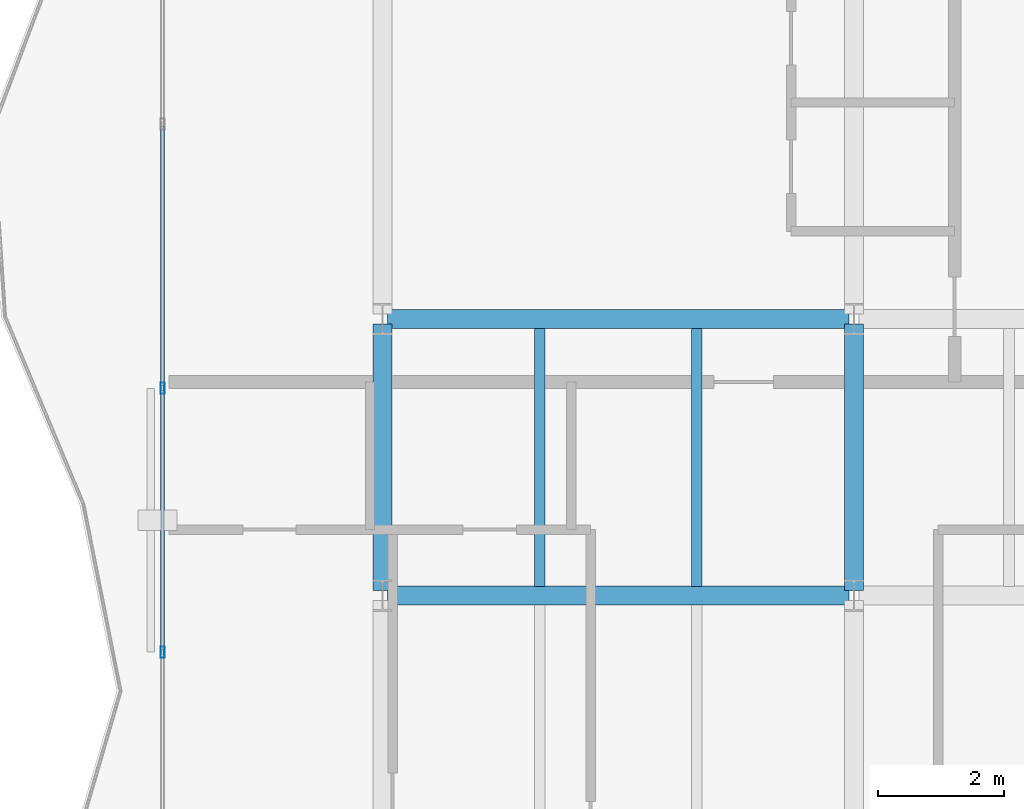
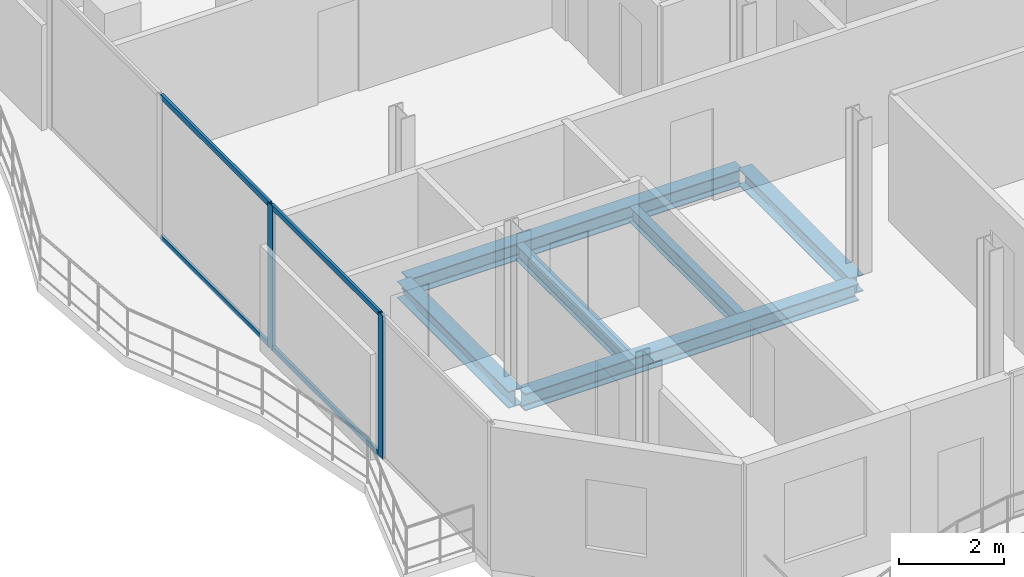
# One storey, part 5 of 24: 6 beams, 6 members, 1 element without a shape of its own.
"""IFC4 building model written with IfcOpenShell, lengths in metres."""

from ifc_helpers import new_model, si_unit, direction, frame, origin, origin_2d, place, context, subcontext, project, spatial, hollow_rectangle, i_section, extrude, material, layer, layer_set, material_profile, profile_set, type_object, element, aggregate, save


model = new_model("IFC4")

# Units and contexts
model_context = context("Model", 3, precision=1e-05, world=origin(), true_north=direction((0.0, 1.0)))
body_context = subcontext(model_context, "Body", "Model", "MODEL_VIEW")
ifc_project = project(units=[si_unit("LENGTHUNIT", "METRE"), si_unit("AREAUNIT", "SQUARE_METRE"), si_unit("VOLUMEUNIT", "CUBIC_METRE"), si_unit("PLANEANGLEUNIT", "RADIAN"), si_unit("MASSUNIT", "GRAM", prefix="KILO")], contexts=[model_context])

# Site, building, storey
site_placement = place(None, origin())
site = spatial("IfcSite", under=ifc_project, at=site_placement, CompositionType="ELEMENT")
building_placement = place(site_placement, origin())
building = spatial("IfcBuilding", under=site, at=building_placement, Name="Catumbela Crestline Tower", CompositionType="ELEMENT")
storey_placement = place(building_placement, frame((0.0, 0.0, 157.8)))
storey = spatial("IfcBuildingStorey", under=building, at=storey_placement, Name="L40", CompositionType="ELEMENT", Elevation=157.8)

# Beams
ifc_material_1 = material(Name="Structural steel S355J2", Category="steel")
ifc_material_profile_1 = material_profile(ifc_material_1, i_section(OverallWidth=0.3, OverallDepth=0.39, WebThickness=0.011, FlangeThickness=0.019, FilletRadius=0.027, at=origin_2d()), Name="HEA 400")
ifc_profile_set_1 = profile_set([ifc_material_profile_1], Name="Structural steel S355J2")
beam_type_1 = type_object("IfcBeamType", Name="BG-HEA400", PredefinedType="BEAM", material=ifc_profile_set_1)
for number, where, z_axis, x_axis, name in (
    (1, (8.58, 13.6, -0.455), (1.0, 0.0, 0.0), (0.0, 1.0, 0.0), "L40 Beam BM-L40-WEW33"),
    (2, (8.58, 18.0, -0.455), (1.0, 0.0, 0.0), (0.0, 1.0, 0.0), "L40 Beam BM-L40-WEW35"),
):
    element("IfcBeam", number, at=place(storey_placement, frame(where, z_axis=z_axis, x_axis=x_axis)), inside=storey, type_object=beam_type_1, Name=name, PredefinedType="BEAM", context=body_context, shape_type="SweptSolid", body=[
        extrude(i_section(OverallWidth=0.3, OverallDepth=0.39, WebThickness=0.011, FlangeThickness=0.019, FilletRadius=0.027, at=origin_2d()), origin(), (0.0, 0.0, 1.0), 7.34),
    ])
for number, where, z_axis, x_axis, name in (
    (3, (8.5, 13.68, -0.455), (0.0, 1.0, 0.0), (-1.0, 0.0, 0.0), "L40 Beam BM-L40-WNS38"),
    (4, (16.0, 13.68, -0.455), (0.0, 1.0, 0.0), (-1.0, 0.0, 0.0), "L40 Beam BM-L40-WNS41"),
):
    element("IfcBeam", number, at=place(storey_placement, frame(where, z_axis=z_axis, x_axis=x_axis)), inside=storey, type_object=beam_type_1, Name=name, PredefinedType="BEAM", context=body_context, shape_type="SweptSolid", body=[
        extrude(i_section(OverallWidth=0.3, OverallDepth=0.39, WebThickness=0.011, FlangeThickness=0.019, FilletRadius=0.027, at=origin_2d()), origin(), (0.0, 0.0, 1.0), 4.24),
    ])
ifc_material_profile_2 = material_profile(ifc_material_1, i_section(OverallWidth=0.17, OverallDepth=0.36, WebThickness=0.008, FlangeThickness=0.0127, FilletRadius=0.018, at=origin_2d()), Name="IPE 360")
ifc_profile_set_2 = profile_set([ifc_material_profile_2], Name="Structural steel S355J2")
beam_type_2 = type_object("IfcBeamType", Name="BJ-IPE360", PredefinedType="JOIST", material=ifc_profile_set_2)
for number, where, z_axis, x_axis, name in (
    (5, (11.0, 13.747, -0.44), (0.0, 1.0, 0.0), (-1.0, 0.0, 0.0), "L40 Joist JS-L40-WG46"),
    (6, (13.5, 13.747, -0.44), (0.0, 1.0, 0.0), (-1.0, 0.0, 0.0), "L40 Joist JS-L40-WG47"),
):
    element("IfcBeam", number, at=place(storey_placement, frame(where, z_axis=z_axis, x_axis=x_axis)), inside=storey, type_object=beam_type_2, Name=name, PredefinedType="JOIST", context=body_context, shape_type="SweptSolid", body=[
        extrude(i_section(OverallWidth=0.17, OverallDepth=0.36, WebThickness=0.008, FlangeThickness=0.0127, FilletRadius=0.018, at=origin_2d()), origin(), (0.0, 0.0, 1.0), 4.106),
    ])

# Curtain wall, members
ifc_material_2 = material(Name="Aluminium alloy AW-6060-T66", Category="aluminium")
ifc_layer = layer(ifc_material_2, 0.18, Name="Aluminium alloy AW-6060-T66")
ifc_layer_set = layer_set([ifc_layer], Name="Aluminium alloy AW-6060-T66")
curtain_wall_type = type_object("IfcCurtainWallType", Name="CWU-Z3", PredefinedType="USERDEFINED", material=ifc_layer_set)
curtain_wall_placement = place(storey_placement, origin())
curtain_wall = element("IfcCurtainWall", 7, at=curtain_wall_placement, inside=storey, type_object=curtain_wall_type, Name="L40 Unitised Curtain Wall CW-L40-E9S2", ObjectType="UNITISED", PredefinedType="USERDEFINED")
ifc_material_profile_3 = material_profile(ifc_material_2, hollow_rectangle(XDim=0.065, YDim=0.18, WallThickness=0.004, at=origin_2d()), Name="ALU 180x65x4")
ifc_profile_set_3 = profile_set([ifc_material_profile_3], Name="Aluminium alloy AW-6060-T66")
member_type_1 = type_object("IfcMemberType", Name="MUL-180X65", PredefinedType="MULLION", material=ifc_profile_set_3)
member_1_placement = place(storey_placement, frame((5.0, 16.9, 0.0), z_axis=(0.0, 0.0, 1.0), x_axis=(1.0, 0.0, 0.0)))
member_1 = element("IfcMember", 8, at=member_1_placement, type_object=member_type_1, Name="CWU-Z3 mullion 5", PredefinedType="MULLION", context=body_context, shape_type="SweptSolid", body=[
    extrude(hollow_rectangle(XDim=0.065, YDim=0.18, WallThickness=0.004, at=origin_2d()), origin(), (0.0, 0.0, 1.0), 3.33),
])
member_2_placement = place(storey_placement, frame((5.0, 12.7, 0.0), z_axis=(0.0, 0.0, 1.0), x_axis=(1.0, 0.0, 0.0)))
member_2 = element("IfcMember", 9, at=member_2_placement, type_object=member_type_1, Name="CWU-Z3 mullion 6", PredefinedType="MULLION", context=body_context, shape_type="SweptSolid", body=[
    extrude(hollow_rectangle(XDim=0.065, YDim=0.18, WallThickness=0.004, at=origin_2d()), origin(), (0.0, 0.0, 1.0), 3.33),
])
ifc_material_profile_4 = material_profile(ifc_material_2, hollow_rectangle(XDim=0.06, YDim=0.12, WallThickness=0.0035, at=origin_2d()), Name="ALU 120x60x3.5")
ifc_profile_set_4 = profile_set([ifc_material_profile_4], Name="Aluminium alloy AW-6060-T66")
member_type_2 = type_object("IfcMemberType", Name="TRN-120X60", PredefinedType="USERDEFINED", material=ifc_profile_set_4)
member_3_placement = place(storey_placement, frame((5.0, 21.0675, 0.03), z_axis=(0.0, -1.0, 0.0), x_axis=(1.0, 0.0, 0.0)))
member_3 = element("IfcMember", 10, at=member_3_placement, type_object=member_type_2, Name="CWU-Z3 transom 4.1", ObjectType="TRANSOM", PredefinedType="USERDEFINED", context=body_context, shape_type="SweptSolid", body=[
    extrude(hollow_rectangle(XDim=0.06, YDim=0.12, WallThickness=0.0035, at=origin_2d()), origin(), (0.0, 0.0, 1.0), 4.135),
])
member_4_placement = place(storey_placement, frame((5.0, 21.0675, 3.3), z_axis=(0.0, -1.0, 0.0), x_axis=(1.0, 0.0, 0.0)))
member_4 = element("IfcMember", 11, at=member_4_placement, type_object=member_type_2, Name="CWU-Z3 transom 4.2", ObjectType="TRANSOM", PredefinedType="USERDEFINED", context=body_context, shape_type="SweptSolid", body=[
    extrude(hollow_rectangle(XDim=0.06, YDim=0.12, WallThickness=0.0035, at=origin_2d()), origin(), (0.0, 0.0, 1.0), 4.135),
])
member_5_placement = place(storey_placement, frame((5.0, 16.8675, 0.03), z_axis=(0.0, -1.0, 0.0), x_axis=(1.0, 0.0, 0.0)))
member_5 = element("IfcMember", 12, at=member_5_placement, type_object=member_type_2, Name="CWU-Z3 transom 5.1", ObjectType="TRANSOM", PredefinedType="USERDEFINED", context=body_context, shape_type="SweptSolid", body=[
    extrude(hollow_rectangle(XDim=0.06, YDim=0.12, WallThickness=0.0035, at=origin_2d()), origin(), (0.0, 0.0, 1.0), 4.135),
])
member_6_placement = place(storey_placement, frame((5.0, 16.8675, 3.3), z_axis=(0.0, -1.0, 0.0), x_axis=(1.0, 0.0, 0.0)))
member_6 = element("IfcMember", 13, at=member_6_placement, type_object=member_type_2, Name="CWU-Z3 transom 5.2", ObjectType="TRANSOM", PredefinedType="USERDEFINED", context=body_context, shape_type="SweptSolid", body=[
    extrude(hollow_rectangle(XDim=0.06, YDim=0.12, WallThickness=0.0035, at=origin_2d()), origin(), (0.0, 0.0, 1.0), 4.135),
])
aggregate(curtain_wall, [member_1, member_2, member_3, member_4, member_5, member_6])

save(model, "model.ifc")
